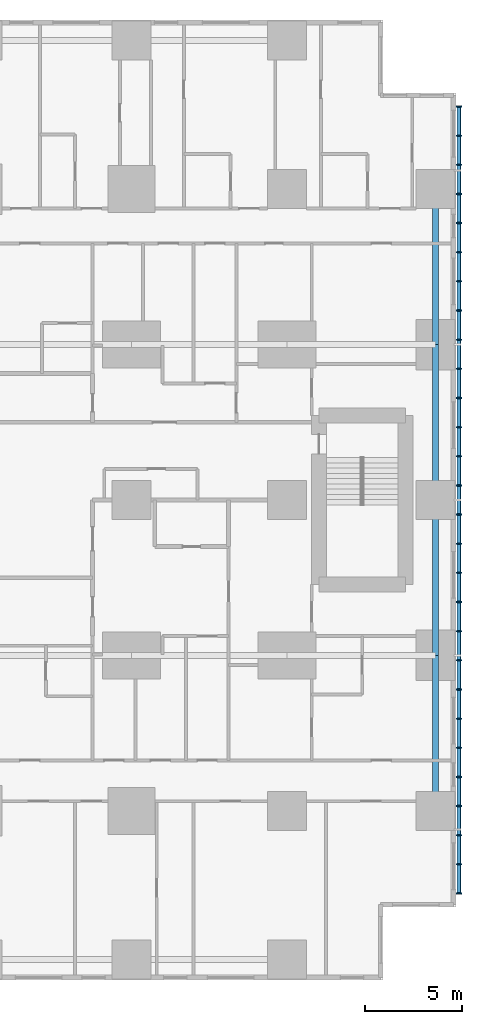
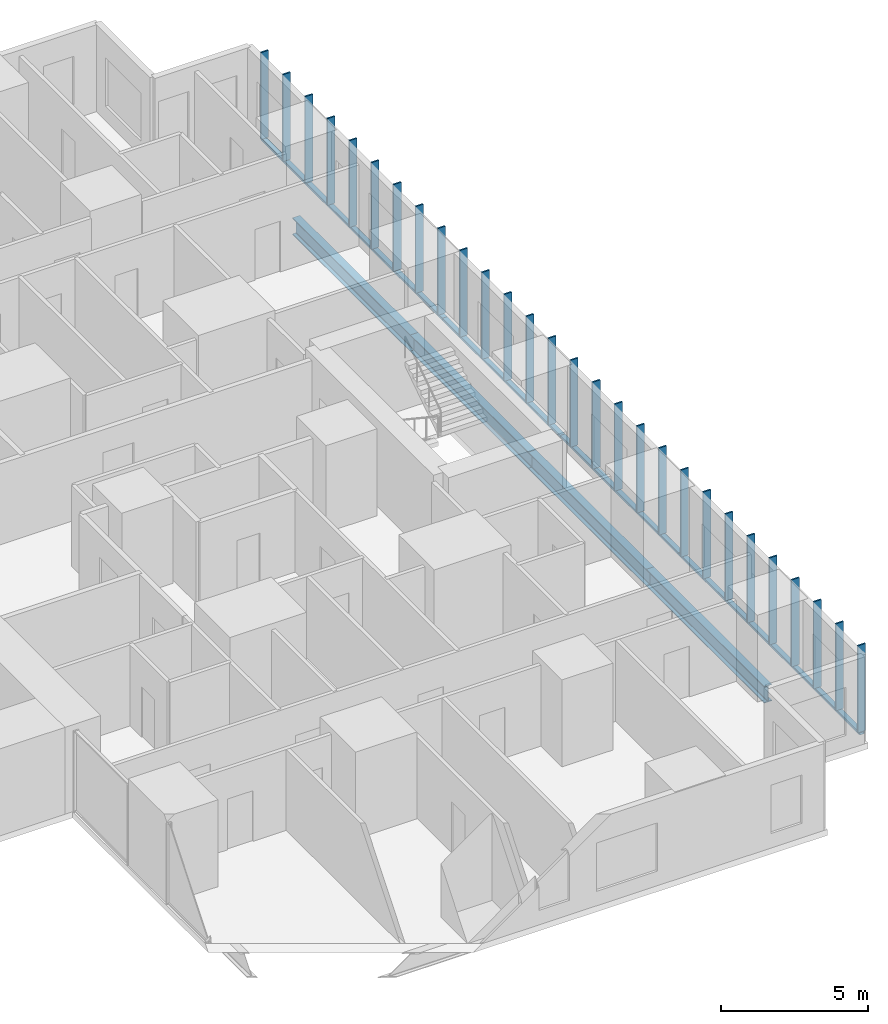
# One storey, part 6 of 20: 32 members, 4 beams.
"""IFC4 building model written with IfcOpenShell, lengths in metres."""

from ifc_helpers import new_model, si_unit, direction, frame, origin, origin_2d, place, context, subcontext, project, spatial, rectangle, hollow_rectangle, i_section, extrude, material, material_profile, profile_set, type_object, element, save


model = new_model("IFC4")

# Units and contexts
model_context = context("Model", 3, precision=1e-05, world=origin(), true_north=direction((0.0, 1.0)))
body_context = subcontext(model_context, "Body", "Model", "MODEL_VIEW")
ifc_project = project(units=[si_unit("LENGTHUNIT", "METRE"), si_unit("AREAUNIT", "SQUARE_METRE"), si_unit("VOLUMEUNIT", "CUBIC_METRE"), si_unit("PLANEANGLEUNIT", "RADIAN"), si_unit("MASSUNIT", "GRAM", prefix="KILO")], contexts=[model_context])

# Site, building, storey
site_placement = place(None, origin())
site = spatial("IfcSite", under=ifc_project, at=site_placement, CompositionType="ELEMENT")
building_placement = place(site_placement, origin())
building = spatial("IfcBuilding", under=site, at=building_placement, Name="Cleftline Residences", CompositionType="ELEMENT")
storey_placement = place(building_placement, frame((0.0, 0.0, 62.0)))
storey = spatial("IfcBuildingStorey", under=building, at=storey_placement, Name="L15", CompositionType="ELEMENT", Elevation=62.0)

# Members
ifc_material_1 = material(Name="Steel S355, hot-dip galvanised", Category="steel")
ifc_material_profile_1 = material_profile(ifc_material_1, hollow_rectangle(XDim=0.10009765625, YDim=0.199951171875, WallThickness=0.008056640625, InnerFilletRadius=0.008056640625, OuterFilletRadius=0.011962890625, at=origin_2d()))
ifc_profile_set_1 = profile_set([ifc_material_profile_1], Name="Steel S355, hot-dip galvanised")
member_type_1 = type_object("IfcMemberType", Name="BAGUETTE CARRIER RHS 200X100X8", PredefinedType="USERDEFINED", material=ifc_profile_set_1)
member_1_placement = place(storey_placement, frame((66.85009765625, 3.699951171875, -0.050048828125), z_axis=(0.0, 1.0, 0.0), x_axis=(0.0, 0.0, 1.0)))
element("IfcMember", 1, at=member_1_placement, inside=storey, type_object=member_type_1, Name="Baguette carrier", ObjectType="BAGUETTE CARRIER", PredefinedType="USERDEFINED", context=body_context, shape_type="SweptSolid", body=[
    extrude(hollow_rectangle(XDim=0.10009765625, YDim=0.199951171875, WallThickness=0.008056640625, InnerFilletRadius=0.008056640625, OuterFilletRadius=0.011962890625, at=origin_2d()), origin(), (0.0, 0.0, 1.0), 12.300048828125),
])
for number, where, z_axis, x_axis, name in (
    (2, (66.85009765625, 16.0, -0.050048828125), (0.0, 1.0, 0.0), (0.0, 0.0, 1.0), "Baguette carrier"),
    (3, (66.85009765625, 24.0, -0.050048828125), (0.0, 1.0, 0.0), (0.0, 0.0, 1.0), "Baguette carrier"),
):
    element("IfcMember", number, at=place(storey_placement, frame(where, z_axis=z_axis, x_axis=x_axis)), inside=storey, type_object=member_type_1, Name=name, ObjectType="BAGUETTE CARRIER", PredefinedType="USERDEFINED", context=body_context, shape_type="SweptSolid", body=[
        extrude(hollow_rectangle(XDim=0.10009765625, YDim=0.199951171875, WallThickness=0.008056640625, InnerFilletRadius=0.008056640625, OuterFilletRadius=0.011962890625, at=origin_2d()), origin(), (0.0, 0.0, 1.0), 8.0),
    ])
member_2_placement = place(storey_placement, frame((66.85009765625, 32.0, -0.050048828125), z_axis=(0.0, 1.0, 0.0), x_axis=(0.0, 0.0, 1.0)))
element("IfcMember", 4, at=member_2_placement, inside=storey, type_object=member_type_1, Name="Baguette carrier", ObjectType="BAGUETTE CARRIER", PredefinedType="USERDEFINED", context=body_context, shape_type="SweptSolid", body=[
    extrude(hollow_rectangle(XDim=0.10009765625, YDim=0.199951171875, WallThickness=0.008056640625, InnerFilletRadius=0.008056640625, OuterFilletRadius=0.011962890625, at=origin_2d()), origin(), (0.0, 0.0, 1.0), 12.300048828125),
])

# Beams
ifc_material_2 = material(Name="Steel S355", Category="steel")
ifc_material_profile_2 = material_profile(ifc_material_2, i_section(OverallWidth=0.300048828125, OverallDepth=0.699951171875, WebThickness=0.01708984375, FlangeThickness=0.031982421875, FilletRadius=0.027099609375, at=origin_2d()))
ifc_profile_set_2 = profile_set([ifc_material_profile_2], Name="Steel S355")
beam_type = type_object("IfcBeamType", Name="BEAM HEB 700", PredefinedType="BEAM", material=ifc_profile_set_2)
for number, where, z_axis, x_axis, name in (
    (5, (65.64990234375, 8.0, -0.60009765625), (0.0, 1.0, 0.0), (-1.0, 0.0, 0.0), "Edge beam"),
    (6, (65.64990234375, 16.0, -0.60009765625), (0.0, 1.0, 0.0), (-1.0, 0.0, 0.0), "Edge beam"),
    (7, (65.64990234375, 24.0, -0.60009765625), (0.0, 1.0, 0.0), (-1.0, 0.0, 0.0), "Edge beam"),
    (8, (65.64990234375, 32.0, -0.60009765625), (0.0, 1.0, 0.0), (-1.0, 0.0, 0.0), "Edge beam"),
):
    element("IfcBeam", number, at=place(storey_placement, frame(where, z_axis=z_axis, x_axis=x_axis)), inside=storey, type_object=beam_type, Name=name, PredefinedType="BEAM", context=body_context, shape_type="SweptSolid", body=[
        extrude(i_section(OverallWidth=0.300048828125, OverallDepth=0.699951171875, WebThickness=0.01708984375, FlangeThickness=0.031982421875, FilletRadius=0.027099609375, at=origin_2d()), origin(), (0.0, 0.0, 1.0), 8.0),
    ])

# Members
ifc_material_3 = material(Name="Extruded terracotta", Category="masonry")
ifc_material_profile_3 = material_profile(ifc_material_3, rectangle(XDim=0.06005859375, YDim=0.300048828125, at=origin_2d()))
ifc_profile_set_3 = profile_set([ifc_material_profile_3], Name="Extruded terracotta")
member_type_2 = type_object("IfcMemberType", Name="TERRACOTTA BAGUETTE 60X300", PredefinedType="USERDEFINED", material=ifc_profile_set_3)
for number, where, z_axis, x_axis, name in (
    (9, (66.85009765625, 3.75, 0.0), (0.0, 0.0, 1.0), (0.0, 1.0, 0.0), "Terracotta baguette"),
    (10, (66.85009765625, 5.25, 0.0), (0.0, 0.0, 1.0), (0.0, 1.0, 0.0), "Terracotta baguette"),
    (11, (66.85009765625, 6.75, 0.0), (0.0, 0.0, 1.0), (0.0, 1.0, 0.0), "Terracotta baguette"),
    (12, (66.85009765625, 8.25, 0.0), (0.0, 0.0, 1.0), (0.0, 1.0, 0.0), "Terracotta baguette"),
    (13, (66.85009765625, 9.75, 0.0), (0.0, 0.0, 1.0), (0.0, 1.0, 0.0), "Terracotta baguette"),
    (14, (66.85009765625, 11.25, 0.0), (0.0, 0.0, 1.0), (0.0, 1.0, 0.0), "Terracotta baguette"),
    (15, (66.85009765625, 12.75, 0.0), (0.0, 0.0, 1.0), (0.0, 1.0, 0.0), "Terracotta baguette"),
    (16, (66.85009765625, 14.25, 0.0), (0.0, 0.0, 1.0), (0.0, 1.0, 0.0), "Terracotta baguette"),
    (17, (66.85009765625, 15.75, 0.0), (0.0, 0.0, 1.0), (0.0, 1.0, 0.0), "Terracotta baguette"),
    (18, (66.85009765625, 17.25, 0.0), (0.0, 0.0, 1.0), (0.0, 1.0, 0.0), "Terracotta baguette"),
    (19, (66.85009765625, 18.75, 0.0), (0.0, 0.0, 1.0), (0.0, 1.0, 0.0), "Terracotta baguette"),
    (20, (66.85009765625, 20.25, 0.0), (0.0, 0.0, 1.0), (0.0, 1.0, 0.0), "Terracotta baguette"),
    (21, (66.85009765625, 21.75, 0.0), (0.0, 0.0, 1.0), (0.0, 1.0, 0.0), "Terracotta baguette"),
    (22, (66.85009765625, 23.25, 0.0), (0.0, 0.0, 1.0), (0.0, 1.0, 0.0), "Terracotta baguette"),
    (23, (66.85009765625, 24.75, 0.0), (0.0, 0.0, 1.0), (0.0, 1.0, 0.0), "Terracotta baguette"),
    (24, (66.85009765625, 26.25, 0.0), (0.0, 0.0, 1.0), (0.0, 1.0, 0.0), "Terracotta baguette"),
    (25, (66.85009765625, 27.75, 0.0), (0.0, 0.0, 1.0), (0.0, 1.0, 0.0), "Terracotta baguette"),
    (26, (66.85009765625, 29.25, 0.0), (0.0, 0.0, 1.0), (0.0, 1.0, 0.0), "Terracotta baguette"),
    (27, (66.85009765625, 30.75, 0.0), (0.0, 0.0, 1.0), (0.0, 1.0, 0.0), "Terracotta baguette"),
    (28, (66.85009765625, 32.25, 0.0), (0.0, 0.0, 1.0), (0.0, 1.0, 0.0), "Terracotta baguette"),
    (29, (66.85009765625, 33.75, 0.0), (0.0, 0.0, 1.0), (0.0, 1.0, 0.0), "Terracotta baguette"),
    (30, (66.85009765625, 35.25, 0.0), (0.0, 0.0, 1.0), (0.0, 1.0, 0.0), "Terracotta baguette"),
    (31, (66.85009765625, 36.75, 0.0), (0.0, 0.0, 1.0), (0.0, 1.0, 0.0), "Terracotta baguette"),
    (32, (66.85009765625, 38.25, 0.0), (0.0, 0.0, 1.0), (0.0, 1.0, 0.0), "Terracotta baguette"),
    (33, (66.85009765625, 39.75, 0.0), (0.0, 0.0, 1.0), (0.0, 1.0, 0.0), "Terracotta baguette"),
    (34, (66.85009765625, 41.25, 0.0), (0.0, 0.0, 1.0), (0.0, 1.0, 0.0), "Terracotta baguette"),
    (35, (66.85009765625, 42.75, 0.0), (0.0, 0.0, 1.0), (0.0, 1.0, 0.0), "Terracotta baguette"),
    (36, (66.85009765625, 44.25, 0.0), (0.0, 0.0, 1.0), (0.0, 1.0, 0.0), "Terracotta baguette"),
):
    element("IfcMember", number, at=place(storey_placement, frame(where, z_axis=z_axis, x_axis=x_axis)), inside=storey, type_object=member_type_2, Name=name, ObjectType="BAGUETTE", PredefinedType="USERDEFINED", context=body_context, shape_type="SweptSolid", body=[
        extrude(rectangle(XDim=0.06005859375, YDim=0.300048828125, at=origin_2d()), origin(), (0.0, 0.0, 1.0), 3.60009765625),
    ])

save(model, "model.ifc")
